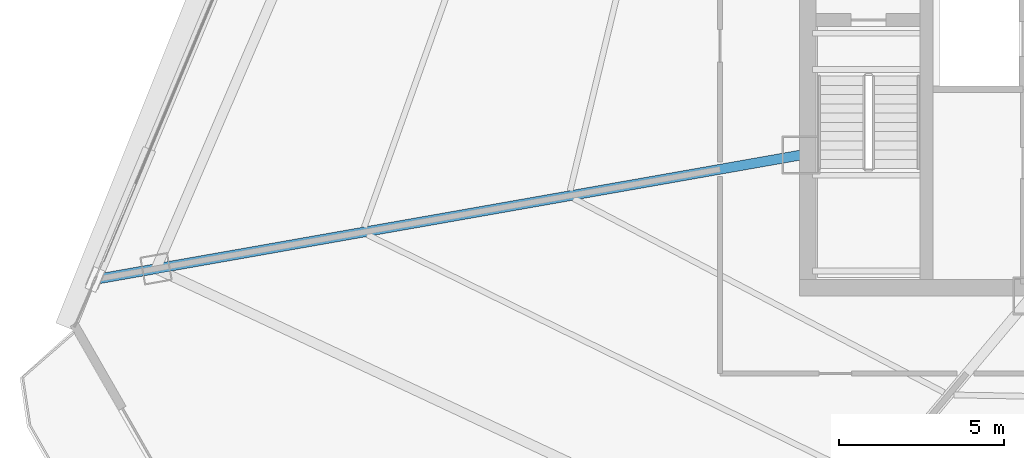
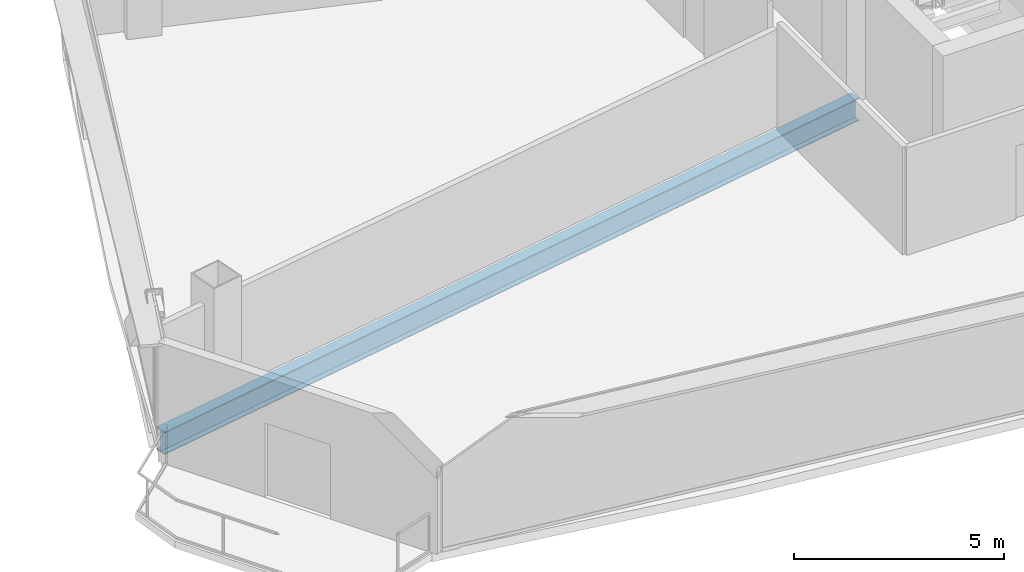
# One storey, part 5 of 37: 1 beam.
"""IFC4 building model written with IfcOpenShell, lengths in metres."""

from ifc_helpers import new_model, si_unit, direction, frame, origin, origin_2d, place, context, subcontext, project, spatial, i_section, extrude, source, transform, mapped, material, material_profile, profile_set, type_object, element, save


model = new_model("IFC4")

# Units and contexts
model_context = context("Model", 3, precision=1e-05, world=origin(), true_north=direction((0.0, 1.0)))
body_context = subcontext(model_context, "Body", "Model", "MODEL_VIEW")
ifc_project = project(units=[si_unit("LENGTHUNIT", "METRE"), si_unit("AREAUNIT", "SQUARE_METRE"), si_unit("VOLUMEUNIT", "CUBIC_METRE"), si_unit("PLANEANGLEUNIT", "RADIAN"), si_unit("MASSUNIT", "GRAM", prefix="KILO"), si_unit("THERMODYNAMICTEMPERATUREUNIT", "KELVIN"), si_unit("POWERUNIT", "WATT")], contexts=[model_context])

# Site, building, storey
site_placement = place(None, origin())
site = spatial("IfcSite", under=ifc_project, at=site_placement, CompositionType="ELEMENT")
building_placement = place(site_placement, origin())
building = spatial("IfcBuilding", under=site, at=building_placement, Name="Yunzhuo Pagoda Commons", CompositionType="ELEMENT")
storey_placement = place(building_placement, frame((0.0, 0.0, 251.989990234375)))
storey = spatial("IfcBuildingStorey", under=building, at=storey_placement, Name="L63", CompositionType="ELEMENT", Elevation=251.989990234375)

# Beam
ifc_material = material(Name="Structural steel Q355B", Category="steel")
ifc_material_profile = material_profile(ifc_material, i_section(OverallWidth=0.300048828125, OverallDepth=0.64990234375, WebThickness=0.012939453125, FlangeThickness=0.02197265625, at=origin_2d()), Name="Structural steel Q355B")
ifc_profile_set = profile_set([ifc_material_profile], Name="Structural steel Q355B")
beam_type = type_object("IfcBeamType", Name="B-RG2 Beam HN 650x300x13x22", PredefinedType="BEAM", material=ifc_profile_set)
shared_shape = source(origin(), body_context, "Body", "SweptSolid", [
    extrude(i_section(OverallWidth=0.300048828125, OverallDepth=0.64990234375, WebThickness=0.012939453125, FlangeThickness=0.02197265625, at=origin_2d()), origin(), (0.0, 0.0, 1.0), 21.561279296875),
])
beam_placement = place(storey_placement, frame((14.366455078125, 27.76953125, -0.5849609375), z_axis=(0.984809082291, 0.173640638784, 0.0), x_axis=(-0.173640638784, 0.984809082291, 0.0)))
element("IfcBeam", 1, at=beam_placement, inside=storey, type_object=beam_type, Name="L63 radial floor girder F3C4", PredefinedType="BEAM", context=body_context, shape_type="MappedRepresentation", body=[
    mapped(shared_shape, transform((0.0, 0.0, 0.0), scale=1.0)),
])

save(model, "model.ifc")
